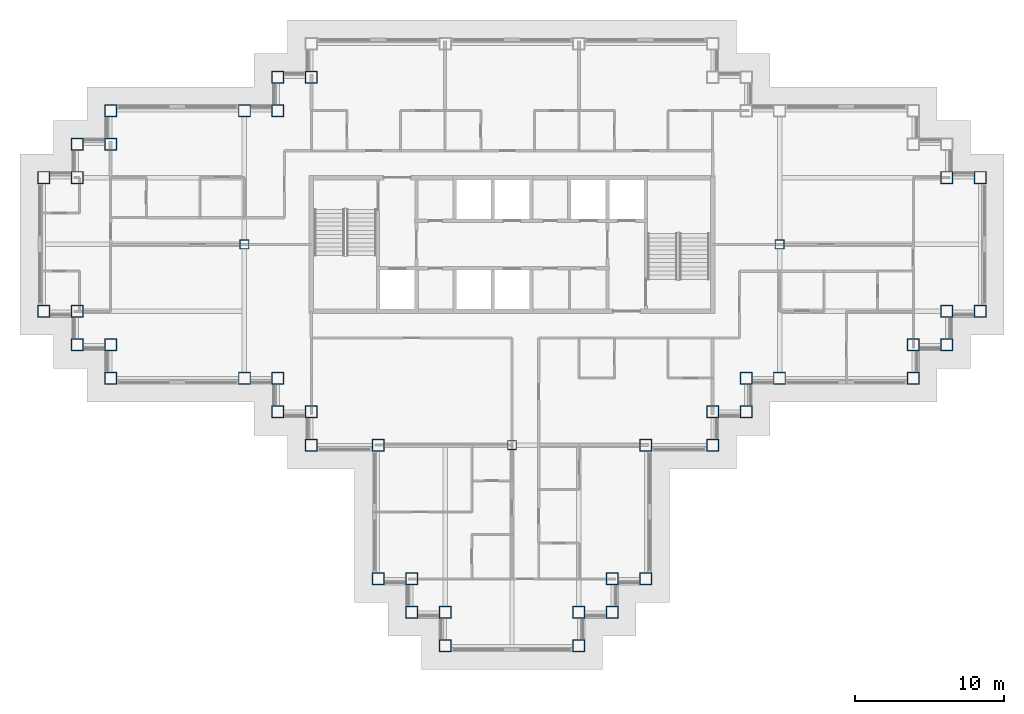
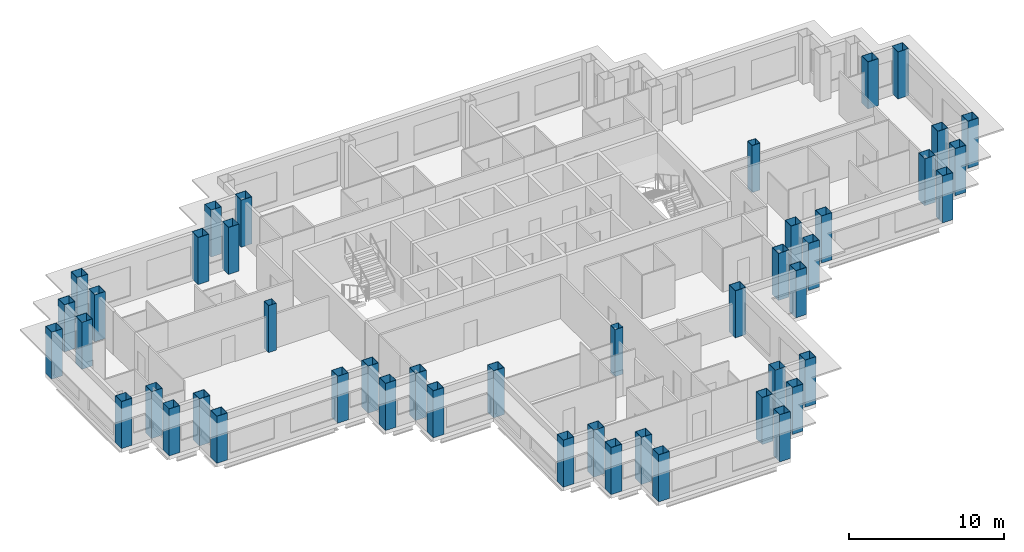
# One storey, part 1 of 13: 46 columns.
"""IFC4 building model written with IfcOpenShell, lengths in metres."""

from ifc_helpers import new_model, si_unit, direction, frame, origin, origin_2d, place, context, subcontext, project, spatial, hollow_rectangle, extrude, material, material_profile, profile_set, type_object, element, save


model = new_model("IFC4")

# Units and contexts
model_context = context("Model", 3, precision=1e-05, world=origin(), true_north=direction((0.0, 1.0)))
body_context = subcontext(model_context, "Body", "Model", "MODEL_VIEW")
ifc_project = project(units=[si_unit("LENGTHUNIT", "METRE"), si_unit("AREAUNIT", "SQUARE_METRE"), si_unit("VOLUMEUNIT", "CUBIC_METRE"), si_unit("PLANEANGLEUNIT", "RADIAN"), si_unit("MASSUNIT", "GRAM", prefix="KILO")], contexts=[model_context])

# Site, building, storey
site_placement = place(None, origin())
site = spatial("IfcSite", under=ifc_project, at=site_placement, CompositionType="ELEMENT")
building_placement = place(site_placement, origin())
building = spatial("IfcBuilding", under=site, at=building_placement, Name="Caravel Reach Hotel and Residences", CompositionType="ELEMENT")
storey_placement = place(building_placement, frame((0.0, 0.0, 158.0)))
storey = spatial("IfcBuildingStorey", under=building, at=storey_placement, Name="L39", CompositionType="ELEMENT", Elevation=158.0)

# Columns
ifc_material_1 = material(Name="Concrete-filled steel tube Q390B with Concrete C60 infill", Category="concrete")
ifc_material_profile_1 = material_profile(ifc_material_1, hollow_rectangle(XDim=0.60009765625, YDim=0.60009765625, WallThickness=0.02001953125, at=origin_2d()), Name="RHS 600x600x20")
ifc_profile_set_1 = profile_set([ifc_material_profile_1], Name="Concrete-filled steel tube Q390B with Concrete C60 infill")
column_type_1 = type_object("IfcColumnType", Name="CFT 600x600 Q390B C60", PredefinedType="COLUMN", material=ifc_profile_set_1)
for number, where, z_axis, x_axis, name in (
    (1, (31.5, 13.5, 0.0), (0.0, 0.0, 1.0), (1.0, 0.0, 0.0), "C8 column"),
    (2, (13.5, 27.0, 0.0), (0.0, 0.0, 1.0), (1.0, 0.0, 0.0), "C8 column"),
    (3, (49.5, 27.0, 0.0), (0.0, 0.0, 1.0), (1.0, 0.0, 0.0), "C8 column"),
):
    element("IfcColumn", number, at=place(storey_placement, frame(where, z_axis=z_axis, x_axis=x_axis)), inside=storey, type_object=column_type_1, Name=name, PredefinedType="COLUMN", context=body_context, shape_type="SweptSolid", body=[
        extrude(hollow_rectangle(XDim=0.60009765625, YDim=0.60009765625, WallThickness=0.02001953125, at=origin_2d()), origin(), (0.0, 0.0, 1.0), 3.699951171875),
    ])
ifc_material_2 = material(Name="Concrete-filled steel tube Q390B with Concrete C60 infill", Category="concrete")
ifc_material_profile_2 = material_profile(ifc_material_2, hollow_rectangle(XDim=0.800048828125, YDim=0.800048828125, WallThickness=0.02490234375, at=origin_2d()), Name="RHS 800x800x25")
ifc_profile_set_2 = profile_set([ifc_material_profile_2], Name="Concrete-filled steel tube Q390B with Concrete C60 infill")
column_type_2 = type_object("IfcColumnType", Name="CFT 800x800 Q390B C60", PredefinedType="COLUMN", material=ifc_profile_set_2)
for number, where, z_axis, x_axis, name in (
    (4, (22.5, 4.5, 0.0), (0.0, 0.0, 1.0), (1.0, 0.0, 0.0), "C5 column"),
    (5, (24.75, 4.5, 0.0), (0.0, 0.0, 1.0), (1.0, 0.0, 0.0), "C5 column"),
    (6, (24.75, 2.25, 0.0), (0.0, 0.0, 1.0), (1.0, 0.0, 0.0), "C5 column"),
    (7, (27.0, 2.25, 0.0), (0.0, 0.0, 1.0), (1.0, 0.0, 0.0), "C5 column"),
    (8, (27.0, 0.0, 0.0), (0.0, 0.0, 1.0), (1.0, 0.0, 0.0), "C5 column"),
    (9, (36.0, 0.0, 0.0), (0.0, 0.0, 1.0), (1.0, 0.0, 0.0), "C5 column"),
    (10, (36.0, 2.25, 0.0), (0.0, 0.0, 1.0), (1.0, 0.0, 0.0), "C5 column"),
    (11, (38.25, 2.25, 0.0), (0.0, 0.0, 1.0), (1.0, 0.0, 0.0), "C5 column"),
    (12, (38.25, 4.5, 0.0), (0.0, 0.0, 1.0), (1.0, 0.0, 0.0), "C5 column"),
    (13, (40.5, 4.5, 0.0), (0.0, 0.0, 1.0), (1.0, 0.0, 0.0), "C5 column"),
    (14, (40.5, 13.5, 0.0), (0.0, 0.0, 1.0), (1.0, 0.0, 0.0), "C5 column"),
    (15, (45.0, 13.5, 0.0), (0.0, 0.0, 1.0), (1.0, 0.0, 0.0), "C5 column"),
    (16, (45.0, 15.75, 0.0), (0.0, 0.0, 1.0), (1.0, 0.0, 0.0), "C5 column"),
    (17, (47.25, 15.75, 0.0), (0.0, 0.0, 1.0), (1.0, 0.0, 0.0), "C5 column"),
    (18, (47.25, 18.0, 0.0), (0.0, 0.0, 1.0), (1.0, 0.0, 0.0), "C5 column"),
    (19, (49.5, 18.0, 0.0), (0.0, 0.0, 1.0), (1.0, 0.0, 0.0), "C5 column"),
    (20, (58.5, 18.0, 0.0), (0.0, 0.0, 1.0), (1.0, 0.0, 0.0), "C5 column"),
    (21, (58.5, 20.25, 0.0), (0.0, 0.0, 1.0), (1.0, 0.0, 0.0), "C5 column"),
    (22, (60.75, 20.25, 0.0), (0.0, 0.0, 1.0), (1.0, 0.0, 0.0), "C5 column"),
    (23, (60.75, 22.5, 0.0), (0.0, 0.0, 1.0), (1.0, 0.0, 0.0), "C5 column"),
    (24, (63.0, 22.5, 0.0), (0.0, 0.0, 1.0), (1.0, 0.0, 0.0), "C5 column"),
    (25, (63.0, 31.5, 0.0), (0.0, 0.0, 1.0), (1.0, 0.0, 0.0), "C5 column"),
    (26, (60.75, 31.5, 0.0), (0.0, 0.0, 1.0), (1.0, 0.0, 0.0), "C5 column"),
    (27, (18.0, 38.25, 0.0), (0.0, 0.0, 1.0), (1.0, 0.0, 0.0), "C5 column"),
    (28, (15.75, 38.25, 0.0), (0.0, 0.0, 1.0), (1.0, 0.0, 0.0), "C5 column"),
    (29, (15.75, 36.0, 0.0), (0.0, 0.0, 1.0), (1.0, 0.0, 0.0), "C5 column"),
    (30, (13.5, 36.0, 0.0), (0.0, 0.0, 1.0), (1.0, 0.0, 0.0), "C5 column"),
    (31, (4.5, 36.0, 0.0), (0.0, 0.0, 1.0), (1.0, 0.0, 0.0), "C5 column"),
    (32, (4.5, 33.75, 0.0), (0.0, 0.0, 1.0), (1.0, 0.0, 0.0), "C5 column"),
    (33, (2.25, 33.75, 0.0), (0.0, 0.0, 1.0), (1.0, 0.0, 0.0), "C5 column"),
    (34, (2.25, 31.5, 0.0), (0.0, 0.0, 1.0), (1.0, 0.0, 0.0), "C5 column"),
    (35, (0.0, 31.5, 0.0), (0.0, 0.0, 1.0), (1.0, 0.0, 0.0), "C5 column"),
    (36, (0.0, 22.5, 0.0), (0.0, 0.0, 1.0), (1.0, 0.0, 0.0), "C5 column"),
    (37, (2.25, 22.5, 0.0), (0.0, 0.0, 1.0), (1.0, 0.0, 0.0), "C5 column"),
    (38, (2.25, 20.25, 0.0), (0.0, 0.0, 1.0), (1.0, 0.0, 0.0), "C5 column"),
    (39, (4.5, 20.25, 0.0), (0.0, 0.0, 1.0), (1.0, 0.0, 0.0), "C5 column"),
    (40, (4.5, 18.0, 0.0), (0.0, 0.0, 1.0), (1.0, 0.0, 0.0), "C5 column"),
    (41, (13.5, 18.0, 0.0), (0.0, 0.0, 1.0), (1.0, 0.0, 0.0), "C5 column"),
    (42, (15.75, 18.0, 0.0), (0.0, 0.0, 1.0), (1.0, 0.0, 0.0), "C5 column"),
    (43, (15.75, 15.75, 0.0), (0.0, 0.0, 1.0), (1.0, 0.0, 0.0), "C5 column"),
    (44, (18.0, 15.75, 0.0), (0.0, 0.0, 1.0), (1.0, 0.0, 0.0), "C5 column"),
    (45, (18.0, 13.5, 0.0), (0.0, 0.0, 1.0), (1.0, 0.0, 0.0), "C5 column"),
    (46, (22.5, 13.5, 0.0), (0.0, 0.0, 1.0), (1.0, 0.0, 0.0), "C5 column"),
):
    element("IfcColumn", number, at=place(storey_placement, frame(where, z_axis=z_axis, x_axis=x_axis)), inside=storey, type_object=column_type_2, Name=name, PredefinedType="COLUMN", context=body_context, shape_type="SweptSolid", body=[
        extrude(hollow_rectangle(XDim=0.800048828125, YDim=0.800048828125, WallThickness=0.02490234375, at=origin_2d()), origin(), (0.0, 0.0, 1.0), 3.699951171875),
    ])

save(model, "model.ifc")
